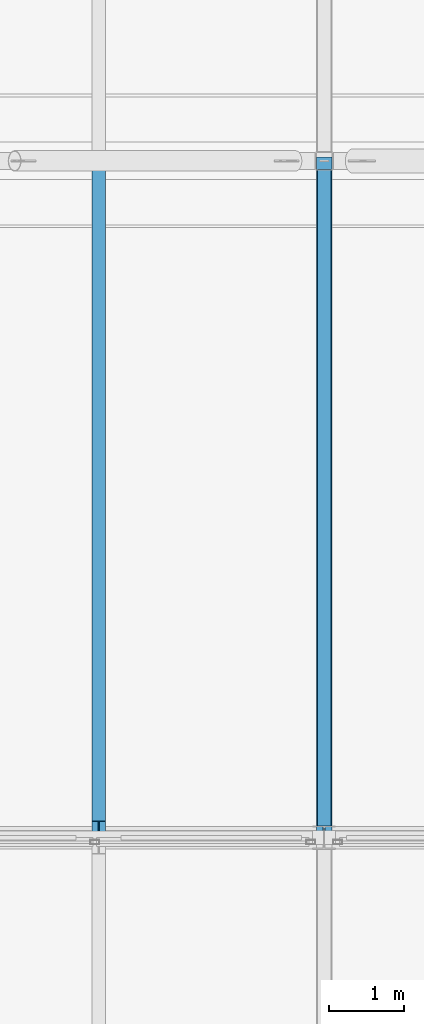
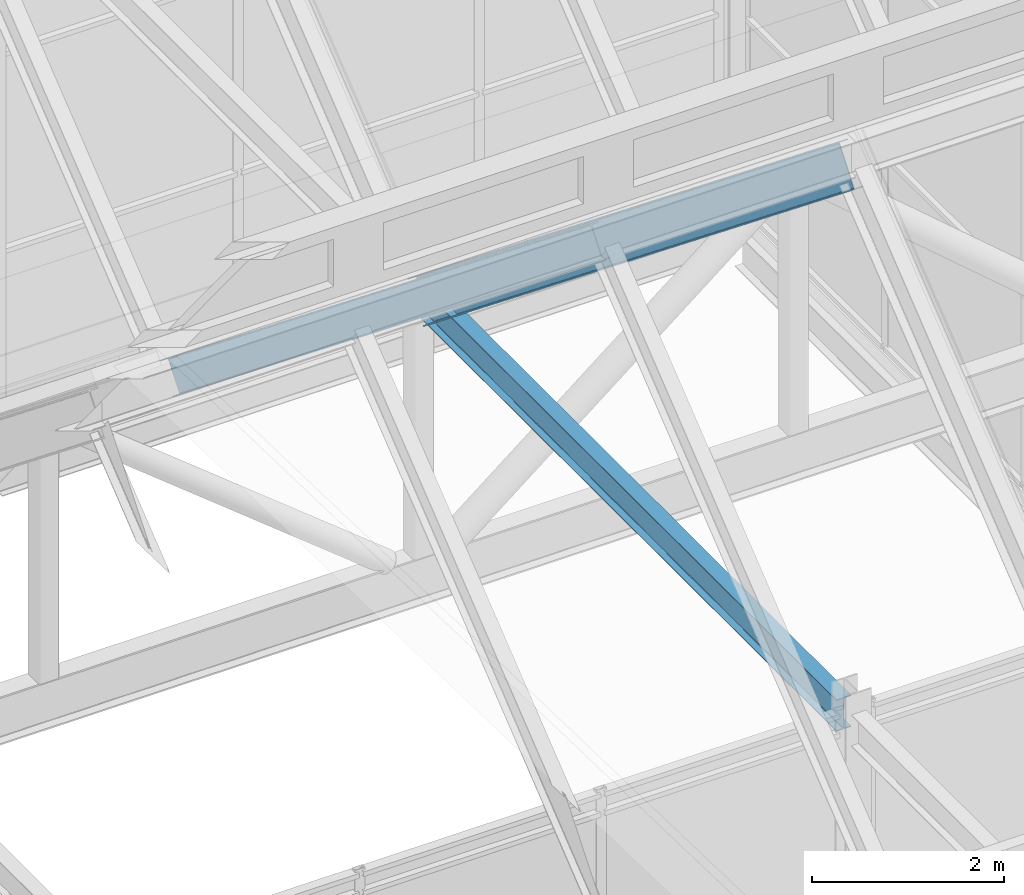
# One storey, part 58 of 144: 2 members, 1 beam.
"""IFC4 building model written with IfcOpenShell, lengths in metres."""

from ifc_helpers import new_model, si_unit, direction, frame, origin, origin_2d, place, context, subcontext, project, spatial, i_section, extrude, material, material_profile, profile_set, type_object, element, save


model = new_model("IFC4")

# Units and contexts
model_context = context("Model", 3, precision=1e-05, world=origin(), true_north=direction((0.0, 1.0)))
body_context = subcontext(model_context, "Body", "Model", "MODEL_VIEW")
ifc_project = project(units=[si_unit("LENGTHUNIT", "METRE"), si_unit("AREAUNIT", "SQUARE_METRE"), si_unit("VOLUMEUNIT", "CUBIC_METRE"), si_unit("PLANEANGLEUNIT", "RADIAN"), si_unit("MASSUNIT", "GRAM", prefix="KILO")], contexts=[model_context])

# Site, building, storey
site_placement = place(None, origin())
site = spatial("IfcSite", under=ifc_project, at=site_placement, CompositionType="ELEMENT")
building_placement = place(site_placement, origin())
building = spatial("IfcBuilding", under=site, at=building_placement, Name="Shorebreak Coast Museum", CompositionType="ELEMENT")
storey_placement = place(building_placement, frame((0.0, 0.0, 36.0)))
storey = spatial("IfcBuildingStorey", under=building, at=storey_placement, Name="L06", CompositionType="ELEMENT", Elevation=36.0)

# Members
ifc_material_1 = material(Name="Steel Grade 300", Category="steel")
ifc_material_profile_1 = material_profile(ifc_material_1, i_section(OverallWidth=0.177978515625, OverallDepth=0.402587890625, WebThickness=0.007568359375, FlangeThickness=0.010986328125, FilletRadius=0.011474609375, at=origin_2d()), Name="410UB53.7")
ifc_profile_set_1 = profile_set([ifc_material_profile_1], Name="Steel Grade 300")
member_type_1 = type_object("IfcMemberType", Name="Fold rafter 410UB53.7", PredefinedType="RAFTER", material=ifc_profile_set_1)
member_1_placement = place(storey_placement, frame((96.0, 63.094970703125, 14.610107421875), z_axis=(0.0, 0.780866693621, -0.624697692322), x_axis=(-1.0, 0.0, 0.0)))
element("IfcMember", 1, at=member_1_placement, inside=storey, type_object=member_type_1, Name="Fold rafter FOLD-X line 2 15", PredefinedType="RAFTER", context=body_context, shape_type="SweptSolid", body=[
    extrude(i_section(OverallWidth=0.177978515625, OverallDepth=0.402587890625, WebThickness=0.007568359375, FlangeThickness=0.010986328125, FilletRadius=0.011474609375, at=origin_2d()), origin(), (0.0, 0.0, 1.0), 11.25732421875),
])
ifc_material_2 = material(Name="Steel Grade 300", Category="steel")
ifc_material_profile_2 = material_profile(ifc_material_2, i_section(OverallWidth=0.208984375, OverallDepth=0.5283203125, WebThickness=0.009521484375, FlangeThickness=0.01318359375, FilletRadius=0.013916015625, at=origin_2d()), Name="530UB82.0")
ifc_profile_set_2 = profile_set([ifc_material_profile_2], Name="Steel Grade 300")
member_type_2 = type_object("IfcMemberType", Name="Fold rib rafter 530UB82.0", PredefinedType="RAFTER", material=ifc_profile_set_2)
member_2_placement = place(storey_placement, frame((99.0, 63.094970703125, 14.52978515625), z_axis=(0.0, 0.780866693621, -0.624697692322), x_axis=(-1.0, 0.0, 0.0)))
element("IfcMember", 2, at=member_2_placement, inside=storey, type_object=member_type_2, Name="Fold rib rafter FOLD-X line 2 16", PredefinedType="RAFTER", context=body_context, shape_type="SweptSolid", body=[
    extrude(i_section(OverallWidth=0.208984375, OverallDepth=0.5283203125, WebThickness=0.009521484375, FlangeThickness=0.01318359375, FilletRadius=0.013916015625, at=origin_2d()), origin(), (0.0, 0.0, 1.0), 11.25732421875),
])

# Beam
ifc_material_3 = material(Name="Steel Grade 300", Category="steel")
ifc_material_profile_3 = material_profile(ifc_material_3, i_section(OverallWidth=0.177978515625, OverallDepth=0.402587890625, WebThickness=0.007568359375, FlangeThickness=0.010986328125, FilletRadius=0.011474609375, at=origin_2d()), Name="410UB53.7")
ifc_profile_set_3 = profile_set([ifc_material_profile_3], Name="Steel Grade 300")
beam_type = type_object("IfcBeamType", Name="Fold rib tie 410UB53.7", PredefinedType="BEAM", material=ifc_profile_set_3)
beam_placement = place(storey_placement, frame((99.0, 63.1572265625, 7.54248046875), z_axis=(0.0, 1.0, 0.0), x_axis=(-1.0, 0.0, 0.0)))
element("IfcBeam", 3, at=beam_placement, inside=storey, type_object=beam_type, Name="Fold rib tie FOLD-X rib 12 H-J", PredefinedType="BEAM", context=body_context, shape_type="SweptSolid", body=[
    extrude(i_section(OverallWidth=0.177978515625, OverallDepth=0.402587890625, WebThickness=0.007568359375, FlangeThickness=0.010986328125, FilletRadius=0.011474609375, at=origin_2d()), origin(), (0.0, 0.0, 1.0), 8.728271484375),
])

save(model, "model.ifc")
